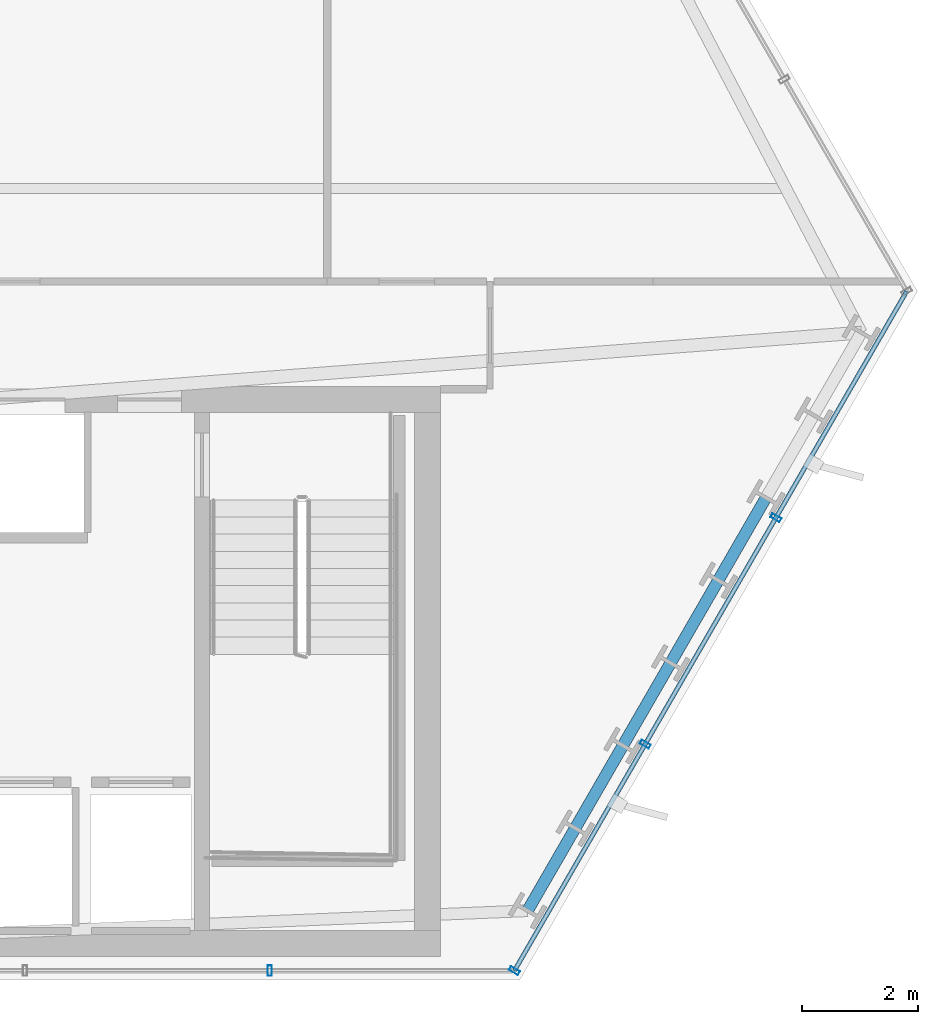
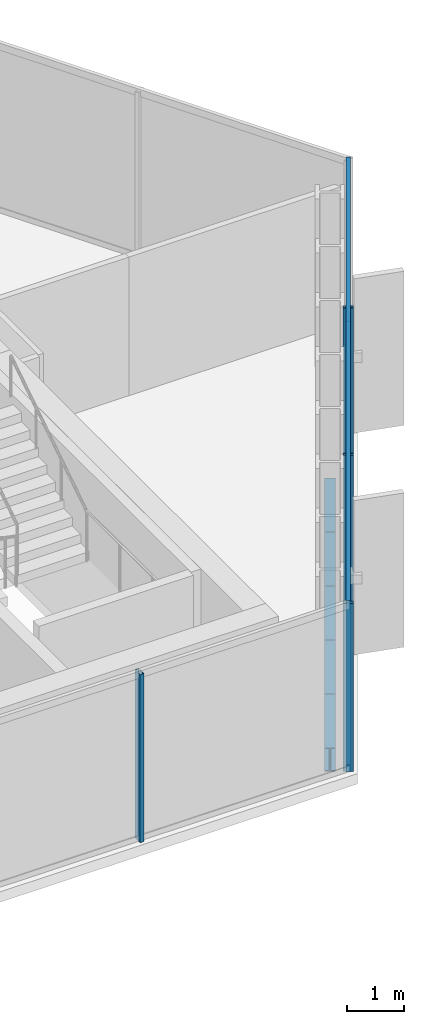
# One storey, part 15 of 31: 6 members, 5 beams, 2 elements without a shape of their own.
"""IFC4 building model written with IfcOpenShell, lengths in metres."""

from ifc_helpers import new_model, si_unit, direction, frame, origin, origin_2d, place, context, subcontext, project, spatial, hollow_rectangle, i_section, extrude, material, layer, layer_set, material_profile, profile_set, type_object, element, aggregate, save


model = new_model("IFC4")

# Units and contexts
model_context = context("Model", 3, precision=1e-05, world=origin(), true_north=direction((0.0, 1.0)))
body_context = subcontext(model_context, "Body", "Model", "MODEL_VIEW")
ifc_project = project(units=[si_unit("LENGTHUNIT", "METRE"), si_unit("AREAUNIT", "SQUARE_METRE"), si_unit("VOLUMEUNIT", "CUBIC_METRE"), si_unit("PLANEANGLEUNIT", "RADIAN"), si_unit("MASSUNIT", "GRAM", prefix="KILO")], contexts=[model_context])

# Site, building, storey
site_placement = place(None, origin())
site = spatial("IfcSite", under=ifc_project, at=site_placement, CompositionType="ELEMENT")
building_placement = place(site_placement, origin())
building = spatial("IfcBuilding", under=site, at=building_placement, Name="Ndaravel Arena Tower", CompositionType="ELEMENT")
storey_placement = place(building_placement, frame((0.0, 0.0, 104.39990234375)))
storey = spatial("IfcBuildingStorey", under=building, at=storey_placement, Name="L24", CompositionType="ELEMENT", Elevation=104.39990234375)

# Beams
ifc_material_1 = material(Name="Steel S355", Category="steel")
ifc_material_profile_1 = material_profile(ifc_material_1, i_section(OverallWidth=0.199951171875, OverallDepth=0.5, WebThickness=0.01025390625, FlangeThickness=0.01611328125, FilletRadius=0.02099609375, at=origin_2d()), Name="IPE 500")
ifc_profile_set_1 = profile_set([ifc_material_profile_1], Name="Steel S355")
beam_type = type_object("IfcBeamType", Name="BM-SPAN-IPE500", PredefinedType="SPANDREL", material=ifc_profile_set_1)
beam_1_placement = place(storey_placement, frame((59.04296875, 6.189697265625, -0.469970703125), z_axis=(0.500049196018, 0.865996998587, 0.0), x_axis=(-0.865996998587, 0.500049196018, 0.0)))
element("IfcBeam", 1, at=beam_1_placement, inside=storey, type_object=beam_type, Name="L24 Perimeter Spandrel Beam SP-02", PredefinedType="SPANDREL", context=body_context, shape_type="SweptSolid", body=[
    extrude(i_section(OverallWidth=0.199951171875, OverallDepth=0.5, WebThickness=0.01025390625, FlangeThickness=0.01611328125, FilletRadius=0.02099609375, at=origin_2d()), origin(), (0.0, 0.0, 1.0), 1.638427734375),
])
beam_2_placement = place(storey_placement, frame((59.8623046875, 7.608642578125, -0.469970703125), z_axis=(0.499984679161, 0.866034249094, 0.0), x_axis=(-0.866034249094, 0.499984679161, 0.0)))
element("IfcBeam", 2, at=beam_2_placement, inside=storey, type_object=beam_type, Name="L24 Perimeter Spandrel Beam SP-03", PredefinedType="SPANDREL", context=body_context, shape_type="SweptSolid", body=[
    extrude(i_section(OverallWidth=0.199951171875, OverallDepth=0.5, WebThickness=0.01025390625, FlangeThickness=0.01611328125, FilletRadius=0.02099609375, at=origin_2d()), origin(), (0.0, 0.0, 1.0), 1.638671875),
])
beam_3_placement = place(storey_placement, frame((60.681640625, 9.02783203125, -0.469970703125), z_axis=(0.500049196018, 0.865996998587, 0.0), x_axis=(-0.865996998587, 0.500049196018, 0.0)))
element("IfcBeam", 3, at=beam_3_placement, inside=storey, type_object=beam_type, Name="L24 Perimeter Spandrel Beam SP-04", PredefinedType="SPANDREL", context=body_context, shape_type="SweptSolid", body=[
    extrude(i_section(OverallWidth=0.199951171875, OverallDepth=0.5, WebThickness=0.01025390625, FlangeThickness=0.01611328125, FilletRadius=0.02099609375, at=origin_2d()), origin(), (0.0, 0.0, 1.0), 1.638427734375),
])
beam_4_placement = place(storey_placement, frame((61.5009765625, 10.44677734375, -0.469970703125), z_axis=(0.499984679161, 0.866034249094, 0.0), x_axis=(-0.866034249094, 0.499984679161, 0.0)))
element("IfcBeam", 4, at=beam_4_placement, inside=storey, type_object=beam_type, Name="L24 Perimeter Spandrel Beam SP-05", PredefinedType="SPANDREL", context=body_context, shape_type="SweptSolid", body=[
    extrude(i_section(OverallWidth=0.199951171875, OverallDepth=0.5, WebThickness=0.01025390625, FlangeThickness=0.01611328125, FilletRadius=0.02099609375, at=origin_2d()), origin(), (0.0, 0.0, 1.0), 1.638671875),
])
beam_5_placement = place(storey_placement, frame((62.3203125, 11.865966796875, -0.469970703125), z_axis=(0.499937439699, 0.866061519979, 0.0), x_axis=(-0.866061519979, 0.499937439699, 0.0)))
element("IfcBeam", 5, at=beam_5_placement, inside=storey, type_object=beam_type, Name="L24 Perimeter Spandrel Beam SP-06", PredefinedType="SPANDREL", context=body_context, shape_type="SweptSolid", body=[
    extrude(i_section(OverallWidth=0.199951171875, OverallDepth=0.5, WebThickness=0.01025390625, FlangeThickness=0.01611328125, FilletRadius=0.02099609375, at=origin_2d()), origin(), (0.0, 0.0, 1.0), 1.638427734375),
])

# Curtain wall, member
ifc_material_2 = material(Name="Aluminium", Category="aluminium")
ifc_layer_1 = layer(ifc_material_2, 0.179931640625)
ifc_layer_set_1 = layer_set([ifc_layer_1], Name="Aluminium")
curtain_wall_type_1 = type_object("IfcCurtainWallType", Name="CW-SYS-03", PredefinedType="NOTDEFINED", material=ifc_layer_set_1)
curtain_wall_1_placement = place(storey_placement, origin())
curtain_wall_1 = element("IfcCurtainWall", 6, at=curtain_wall_1_placement, inside=storey, type_object=curtain_wall_type_1, Name="L24 Faceted Crystal Curtain Wall CW-L24-E01", PredefinedType="NOTDEFINED")
ifc_material_3 = material(Name="Aluminium", Category="aluminium")
ifc_material_profile_2 = material_profile(ifc_material_3, hollow_rectangle(XDim=0.074951171875, YDim=0.179931640625, WallThickness=0.00390625, at=origin_2d()), Name="CW MULLION 75x180x4")
ifc_profile_set_2 = profile_set([ifc_material_profile_2], Name="Aluminium")
member_type_1 = type_object("IfcMemberType", Name="MEM-CW-MUL180", PredefinedType="MULLION", material=ifc_profile_set_2)
member_1_placement = place(storey_placement, frame((54.613525390625, 5.159912109375, 0.0), z_axis=(0.0, 0.0, 1.0), x_axis=(1.0, 0.0, 0.0)))
member_1 = element("IfcMember", 7, at=member_1_placement, type_object=member_type_1, Name="CW-L24-E01 Mullion 07", PredefinedType="MULLION", context=body_context, shape_type="SweptSolid", body=[
    extrude(hollow_rectangle(XDim=0.074951171875, YDim=0.179931640625, WallThickness=0.00390625, at=origin_2d()), origin(), (0.0, 0.0, 1.0), 3.580078125),
])
aggregate(curtain_wall_1, [member_1])

# Curtain wall, members
ifc_material_4 = material(Name="Aluminium", Category="aluminium")
ifc_layer_2 = layer(ifc_material_4, 0.179931640625)
ifc_layer_set_2 = layer_set([ifc_layer_2], Name="Aluminium")
curtain_wall_type_2 = type_object("IfcCurtainWallType", Name="CW-SYS-01", PredefinedType="NOTDEFINED", material=ifc_layer_set_2)
curtain_wall_2_placement = place(storey_placement, origin())
curtain_wall_2 = element("IfcCurtainWall", 8, at=curtain_wall_2_placement, inside=storey, type_object=curtain_wall_type_2, Name="L24 Faceted Crystal Curtain Wall CW-L24-E02", PredefinedType="NOTDEFINED")
member_2_placement = place(storey_placement, frame((58.818115234375, 5.159912109375, 0.0), z_axis=(0.0, 0.0, 1.0), x_axis=(0.5, 0.866025403784, 0.0)))
member_2 = element("IfcMember", 9, at=member_2_placement, type_object=member_type_1, Name="CW-L24-E02 Mullion 00", PredefinedType="MULLION", context=body_context, shape_type="SweptSolid", body=[
    extrude(hollow_rectangle(XDim=0.074951171875, YDim=0.179931640625, WallThickness=0.00390625, at=origin_2d()), origin(), (0.0, 0.0, 1.0), 3.580078125),
])
member_3_placement = place(storey_placement, frame((61.064453125, 9.05078125, 0.0), z_axis=(0.0, 0.0, 1.0), x_axis=(0.5, 0.866025403784, 0.0)))
member_3 = element("IfcMember", 10, at=member_3_placement, type_object=member_type_1, Name="CW-L24-E02 Mullion 01", PredefinedType="MULLION", context=body_context, shape_type="SweptSolid", body=[
    extrude(hollow_rectangle(XDim=0.074951171875, YDim=0.179931640625, WallThickness=0.00390625, at=origin_2d()), origin(), (0.0, 0.0, 1.0), 3.580078125),
])
member_4_placement = place(storey_placement, frame((63.310791015625, 12.94189453125, 0.0), z_axis=(0.0, 0.0, 1.0), x_axis=(0.5, 0.866025403784, 0.0)))
member_4 = element("IfcMember", 11, at=member_4_placement, type_object=member_type_1, Name="CW-L24-E02 Mullion 02", PredefinedType="MULLION", context=body_context, shape_type="SweptSolid", body=[
    extrude(hollow_rectangle(XDim=0.074951171875, YDim=0.179931640625, WallThickness=0.00390625, at=origin_2d()), origin(), (0.0, 0.0, 1.0), 3.580078125),
])
ifc_material_5 = material(Name="Aluminium", Category="aluminium")
ifc_material_profile_3 = material_profile(ifc_material_5, hollow_rectangle(XDim=0.074951171875, YDim=0.14990234375, WallThickness=0.00390625, at=origin_2d()), Name="CW TRANSOM 75x150x4")
ifc_profile_set_3 = profile_set([ifc_material_profile_3], Name="Aluminium")
member_type_2 = type_object("IfcMemberType", Name="MEM-CW-TRN150", PredefinedType="USERDEFINED", material=ifc_profile_set_3)
member_5_placement = place(storey_placement, frame((58.818115234375, 5.159912109375, 0.0400390625), z_axis=(0.499996317533, 0.866027529847, 0.0), x_axis=(-0.866027529847, 0.499996317533, 0.0)))
member_5 = element("IfcMember", 12, at=member_5_placement, type_object=member_type_2, Name="CW-L24-E02 Transom 01", ObjectType="TRANSOM", PredefinedType="USERDEFINED", context=body_context, shape_type="SweptSolid", body=[
    extrude(hollow_rectangle(XDim=0.074951171875, YDim=0.14990234375, WallThickness=0.00390625, at=origin_2d()), origin(), (0.0, 0.0, 1.0), 13.478515625),
])
member_6_placement = place(storey_placement, frame((58.818115234375, 5.159912109375, 3.5400390625), z_axis=(0.499996317533, 0.866027529847, 0.0), x_axis=(-0.866027529847, 0.499996317533, 0.0)))
member_6 = element("IfcMember", 13, at=member_6_placement, type_object=member_type_2, Name="CW-L24-E02 Transom 02", ObjectType="TRANSOM", PredefinedType="USERDEFINED", context=body_context, shape_type="SweptSolid", body=[
    extrude(hollow_rectangle(XDim=0.074951171875, YDim=0.14990234375, WallThickness=0.00390625, at=origin_2d()), origin(), (0.0, 0.0, 1.0), 13.478515625),
])
aggregate(curtain_wall_2, [member_2, member_3, member_4, member_5, member_6])

save(model, "model.ifc")
